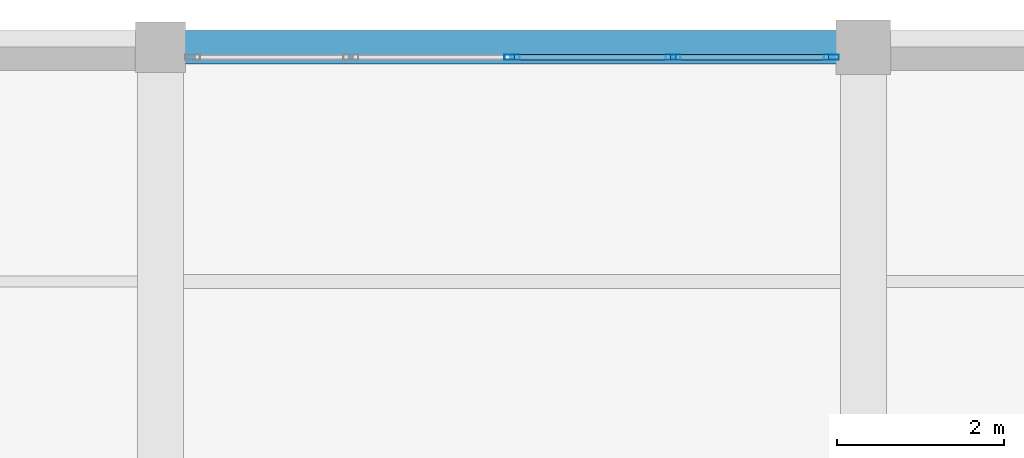
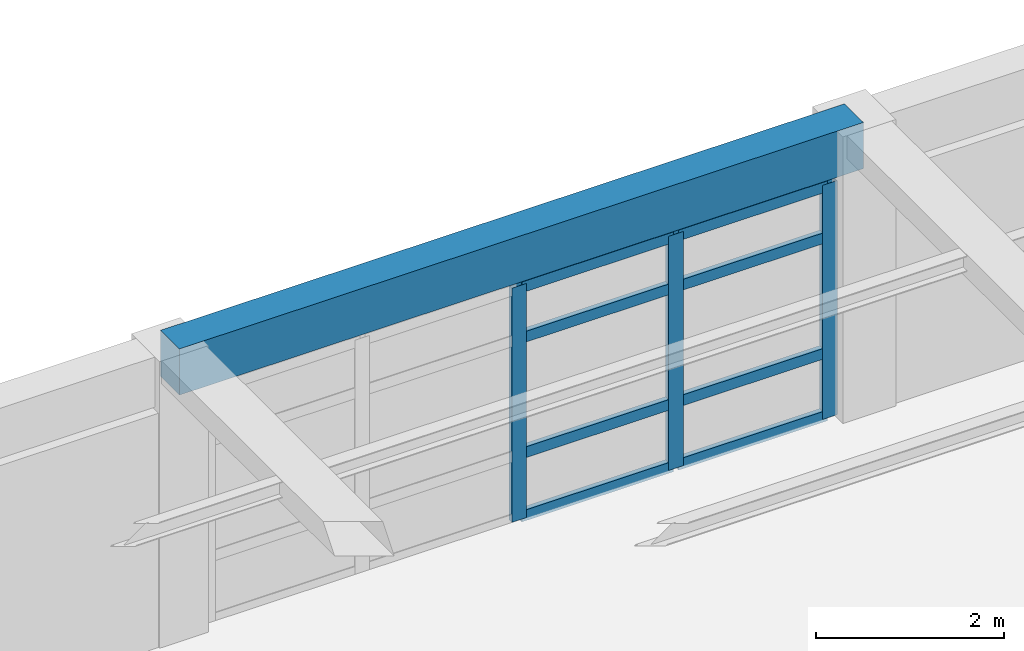
# One storey, part 18 of 26: 11 members, 1 beam, 1 element without a shape of its own.
"""IFC4 building model written with IfcOpenShell, lengths in metres."""

from ifc_helpers import new_model, si_unit, direction, frame, origin, origin_2d, place, context, subcontext, project, spatial, rectangle, hollow_rectangle, extrude, material, material_profile, profile_set, type_object, element, aggregate, save


model = new_model("IFC4")

# Units and contexts
model_context = context("Model", 3, precision=1e-05, world=origin(), true_north=direction((0.0, 1.0)))
body_context = subcontext(model_context, "Body", "Model", "MODEL_VIEW")
ifc_project = project(units=[si_unit("LENGTHUNIT", "METRE"), si_unit("AREAUNIT", "SQUARE_METRE"), si_unit("VOLUMEUNIT", "CUBIC_METRE"), si_unit("PLANEANGLEUNIT", "RADIAN"), si_unit("MASSUNIT", "GRAM", prefix="KILO")], contexts=[model_context])

# Site, building, storey
site_placement = place(None, origin())
site = spatial("IfcSite", under=ifc_project, at=site_placement, CompositionType="ELEMENT")
building_placement = place(site_placement, origin())
building = spatial("IfcBuilding", under=site, at=building_placement, Name="Almacenes y Pasaje Nevantli", CompositionType="ELEMENT")
storey_placement = place(building_placement, frame((0.0, 0.0, 42.699951171875)))
storey = spatial("IfcBuildingStorey", under=building, at=storey_placement, Name="L10", CompositionType="ELEMENT", Elevation=42.699951171875)

# Beam
ifc_material_1 = material(Name="Concrete C35/45", Category="concrete")
ifc_material_profile_1 = material_profile(ifc_material_1, rectangle(XDim=0.39990234375, YDim=0.60009765625, at=origin_2d()), Name="RC-BM-400x600")
ifc_profile_set_1 = profile_set([ifc_material_profile_1], Name="Concrete C35/45")
beam_type = type_object("IfcBeamType", Name="BM-RC-400x600", PredefinedType="SPANDREL", material=ifc_profile_set_1)
beam_placement = place(storey_placement, frame((126.0, 100.800048828125, 3.420166015625), z_axis=(1.0, 0.0, 0.0), x_axis=(0.0, 1.0, 0.0)))
element("IfcBeam", 1, at=beam_placement, inside=storey, type_object=beam_type, Name="L10 East-West Reinforced Concrete Beam #3818", PredefinedType="SPANDREL", context=body_context, shape_type="SweptSolid", body=[
    extrude(rectangle(XDim=0.39990234375, YDim=0.60009765625, at=origin_2d()), origin(), (0.0, 0.0, 1.0), 8.39990234375),
])

# Curtain wall, members
ifc_material_2 = material(Name="Thermally Broken Aluminium and Low-E Glass", Category="aluminium")
curtain_wall_type = type_object("IfcCurtainWallType", Name="CW-UNIT-TOWER", PredefinedType="USERDEFINED", material=ifc_material_2)
curtain_wall_placement = place(storey_placement, origin())
curtain_wall = element("IfcCurtainWall", 2, at=curtain_wall_placement, inside=storey, type_object=curtain_wall_type, Name="L10 Tower North Boulevard Unitized Curtain Wall Bay 16", ObjectType="UNITIZED CURTAIN WALL", PredefinedType="USERDEFINED")
ifc_material_3 = material(Name="Thermally Broken Anodized Aluminium", Category="aluminium")
ifc_material_profile_2 = material_profile(ifc_material_3, hollow_rectangle(XDim=0.06494140625, YDim=0.179931640625, WallThickness=0.00390625, at=origin_2d()), Name="ALU-MUL-65x180")
ifc_profile_set_2 = profile_set([ifc_material_profile_2], Name="Thermally Broken Anodized Aluminium")
member_type_1 = type_object("IfcMemberType", Name="CW-MUL-200", PredefinedType="MULLION", material=ifc_profile_set_2)
member_1_placement = place(storey_placement, frame((130.199951171875, 100.679931640625, 0.0), z_axis=(0.0, 0.0, 1.0), x_axis=(0.0, 1.0, 0.0)))
member_1 = element("IfcMember", 3, at=member_1_placement, type_object=member_type_1, Name="CW-L10-142 mullion 3", PredefinedType="MULLION", context=body_context, shape_type="SweptSolid", body=[
    extrude(hollow_rectangle(XDim=0.06494140625, YDim=0.179931640625, WallThickness=0.00390625, at=origin_2d()), origin(), (0.0, 0.0, 1.0), 3.0400390625),
])
member_2_placement = place(storey_placement, frame((132.125, 100.679931640625, 0.0), z_axis=(0.0, 0.0, 1.0), x_axis=(0.0, 1.0, 0.0)))
member_2 = element("IfcMember", 4, at=member_2_placement, type_object=member_type_1, Name="CW-L10-142 mullion 4", PredefinedType="MULLION", context=body_context, shape_type="SweptSolid", body=[
    extrude(hollow_rectangle(XDim=0.06494140625, YDim=0.179931640625, WallThickness=0.00390625, at=origin_2d()), origin(), (0.0, 0.0, 1.0), 3.0400390625),
])
member_3_placement = place(storey_placement, frame((134.017578125, 100.679931640625, 0.0), z_axis=(0.0, 0.0, 1.0), x_axis=(0.0, 1.0, 0.0)))
member_3 = element("IfcMember", 5, at=member_3_placement, type_object=member_type_1, Name="CW-L10-142 mullion 5", PredefinedType="MULLION", context=body_context, shape_type="SweptSolid", body=[
    extrude(hollow_rectangle(XDim=0.06494140625, YDim=0.179931640625, WallThickness=0.00390625, at=origin_2d()), origin(), (0.0, 0.0, 1.0), 3.0400390625),
])
ifc_material_4 = material(Name="Thermally Broken Anodized Aluminium", Category="aluminium")
ifc_material_profile_3 = material_profile(ifc_material_4, hollow_rectangle(XDim=0.06494140625, YDim=0.139892578125, WallThickness=0.00390625, at=origin_2d()), Name="ALU-TRN-65x140")
ifc_profile_set_3 = profile_set([ifc_material_profile_3], Name="Thermally Broken Anodized Aluminium")
member_type_2 = type_object("IfcMemberType", Name="CW-TRN-150", PredefinedType="USERDEFINED", material=ifc_profile_set_3)
member_4_placement = place(storey_placement, frame((130.232421875, 100.679931640625, 0.032470703125), z_axis=(1.0, 0.0, 0.0), x_axis=(0.0, 1.0, 0.0)))
member_4 = element("IfcMember", 6, at=member_4_placement, type_object=member_type_2, Name="CW-L10-142 transom 3.1", ObjectType="TRANSOM", PredefinedType="USERDEFINED", context=body_context, shape_type="SweptSolid", body=[
    extrude(hollow_rectangle(XDim=0.06494140625, YDim=0.139892578125, WallThickness=0.00390625, at=origin_2d()), origin(), (0.0, 0.0, 1.0), 1.860107421875),
])
member_5_placement = place(storey_placement, frame((130.232421875, 100.679931640625, 0.85009765625), z_axis=(1.0, 0.0, 0.0), x_axis=(0.0, 1.0, 0.0)))
member_5 = element("IfcMember", 7, at=member_5_placement, type_object=member_type_2, Name="CW-L10-142 transom 3.2", ObjectType="TRANSOM", PredefinedType="USERDEFINED", context=body_context, shape_type="SweptSolid", body=[
    extrude(hollow_rectangle(XDim=0.06494140625, YDim=0.139892578125, WallThickness=0.00390625, at=origin_2d()), origin(), (0.0, 0.0, 1.0), 1.860107421875),
])
member_6_placement = place(storey_placement, frame((130.232421875, 100.679931640625, 2.35009765625), z_axis=(1.0, 0.0, 0.0), x_axis=(0.0, 1.0, 0.0)))
member_6 = element("IfcMember", 8, at=member_6_placement, type_object=member_type_2, Name="CW-L10-142 transom 3.3", ObjectType="TRANSOM", PredefinedType="USERDEFINED", context=body_context, shape_type="SweptSolid", body=[
    extrude(hollow_rectangle(XDim=0.06494140625, YDim=0.139892578125, WallThickness=0.00390625, at=origin_2d()), origin(), (0.0, 0.0, 1.0), 1.860107421875),
])
member_7_placement = place(storey_placement, frame((130.232421875, 100.679931640625, 3.007568359375), z_axis=(1.0, 0.0, 0.0), x_axis=(0.0, 1.0, 0.0)))
member_7 = element("IfcMember", 9, at=member_7_placement, type_object=member_type_2, Name="CW-L10-142 transom 3.4", ObjectType="TRANSOM", PredefinedType="USERDEFINED", context=body_context, shape_type="SweptSolid", body=[
    extrude(hollow_rectangle(XDim=0.06494140625, YDim=0.139892578125, WallThickness=0.00390625, at=origin_2d()), origin(), (0.0, 0.0, 1.0), 1.860107421875),
])
member_8_placement = place(storey_placement, frame((132.157470703125, 100.679931640625, 0.032470703125), z_axis=(1.0, 0.0, 0.0), x_axis=(0.0, 1.0, 0.0)))
member_8 = element("IfcMember", 10, at=member_8_placement, type_object=member_type_2, Name="CW-L10-142 transom 4.1", ObjectType="TRANSOM", PredefinedType="USERDEFINED", context=body_context, shape_type="SweptSolid", body=[
    extrude(hollow_rectangle(XDim=0.06494140625, YDim=0.139892578125, WallThickness=0.00390625, at=origin_2d()), origin(), (0.0, 0.0, 1.0), 1.82763671875),
])
member_9_placement = place(storey_placement, frame((132.157470703125, 100.679931640625, 0.85009765625), z_axis=(1.0, 0.0, 0.0), x_axis=(0.0, 1.0, 0.0)))
member_9 = element("IfcMember", 11, at=member_9_placement, type_object=member_type_2, Name="CW-L10-142 transom 4.2", ObjectType="TRANSOM", PredefinedType="USERDEFINED", context=body_context, shape_type="SweptSolid", body=[
    extrude(hollow_rectangle(XDim=0.06494140625, YDim=0.139892578125, WallThickness=0.00390625, at=origin_2d()), origin(), (0.0, 0.0, 1.0), 1.82763671875),
])
member_10_placement = place(storey_placement, frame((132.157470703125, 100.679931640625, 2.35009765625), z_axis=(1.0, 0.0, 0.0), x_axis=(0.0, 1.0, 0.0)))
member_10 = element("IfcMember", 12, at=member_10_placement, type_object=member_type_2, Name="CW-L10-142 transom 4.3", ObjectType="TRANSOM", PredefinedType="USERDEFINED", context=body_context, shape_type="SweptSolid", body=[
    extrude(hollow_rectangle(XDim=0.06494140625, YDim=0.139892578125, WallThickness=0.00390625, at=origin_2d()), origin(), (0.0, 0.0, 1.0), 1.82763671875),
])
member_11_placement = place(storey_placement, frame((132.157470703125, 100.679931640625, 3.007568359375), z_axis=(1.0, 0.0, 0.0), x_axis=(0.0, 1.0, 0.0)))
member_11 = element("IfcMember", 13, at=member_11_placement, type_object=member_type_2, Name="CW-L10-142 transom 4.4", ObjectType="TRANSOM", PredefinedType="USERDEFINED", context=body_context, shape_type="SweptSolid", body=[
    extrude(hollow_rectangle(XDim=0.06494140625, YDim=0.139892578125, WallThickness=0.00390625, at=origin_2d()), origin(), (0.0, 0.0, 1.0), 1.82763671875),
])
aggregate(curtain_wall, [member_1, member_2, member_3, member_4, member_5, member_6, member_7, member_8, member_9, member_10, member_11])

save(model, "model.ifc")
